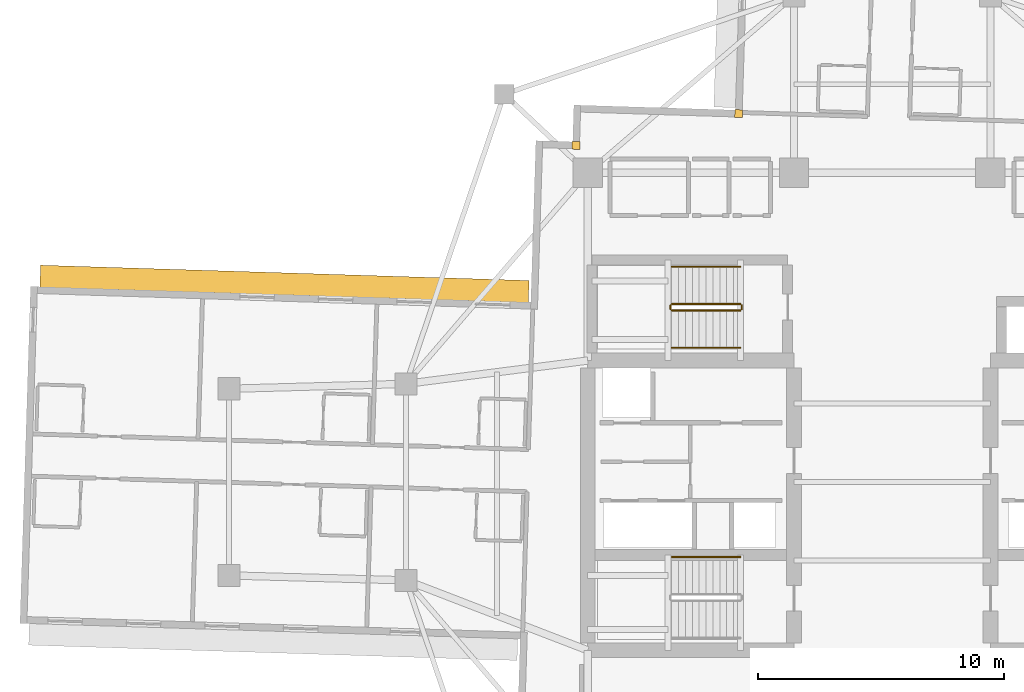
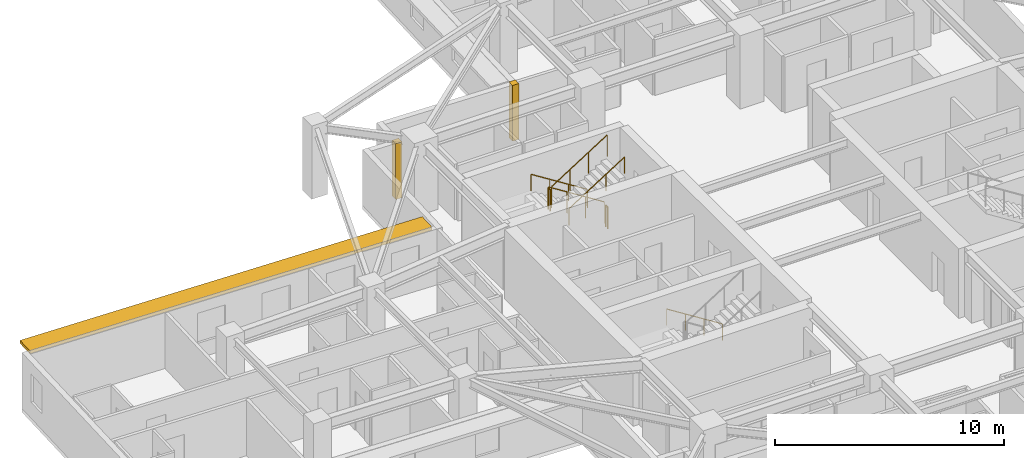
# One storey, part 13 of 14: 7 railings, 2 coverings, 1 shading device.
"""IFC4 building model written with IfcOpenShell, lengths in metres."""

from ifc_helpers import new_model, si_unit, direction, frame, origin, origin_2d, place, context, subcontext, project, spatial, rectangle, circle, extrude, material, layer, layer_set, type_object, element, save


model = new_model("IFC4")

# Units and contexts
model_context = context("Model", 3, precision=1e-05, world=origin(), true_north=direction((0.0, 1.0)))
body_context = subcontext(model_context, "Body", "Model", "MODEL_VIEW")
ifc_project = project(units=[si_unit("LENGTHUNIT", "METRE"), si_unit("AREAUNIT", "SQUARE_METRE"), si_unit("VOLUMEUNIT", "CUBIC_METRE"), si_unit("PLANEANGLEUNIT", "RADIAN"), si_unit("MASSUNIT", "GRAM", prefix="KILO")], contexts=[model_context])

# Site, building, storey
site_placement = place(None, origin())
site = spatial("IfcSite", under=ifc_project, at=site_placement, CompositionType="ELEMENT")
building_placement = place(site_placement, origin())
building = spatial("IfcBuilding", under=site, at=building_placement, Name="Qingluan Cross Belvedere", CompositionType="ELEMENT")
storey_placement = place(building_placement, frame((0.0, 0.0, 176.10009765625)))
storey = spatial("IfcBuildingStorey", under=building, at=storey_placement, Name="L44", CompositionType="ELEMENT", Elevation=176.10009765625)

# Coverings
ifc_material_1 = material(Name="Precast concrete C45", Category="concrete")
ifc_layer_1 = layer(ifc_material_1, 0.1201171875, Name="ConcreteSpandrelCladding_120")
ifc_layer_set_1 = layer_set([ifc_layer_1], Name="Precast concrete C45")
covering_type = type_object("IfcCoveringType", Name="ConcreteSpandrelCladding_120", PredefinedType="CLADDING", material=ifc_layer_set_1)
for number, where, z_axis, x_axis, name in (
    (1, (-12.875732421875, 13.711181640625, 0.0), (0.0, 0.0, 1.0), (0.999506560366, -0.031410759078, 0.0), "Corner closure L44-NW1"),
    (2, (-6.251708984375, 15.00390625, 0.0), (0.0, 0.0, 1.0), (0.999506560366, -0.031410759078, 0.0), "Corner closure L44-NW2"),
):
    element("IfcCovering", number, at=place(storey_placement, frame(where, z_axis=z_axis, x_axis=x_axis)), inside=storey, type_object=covering_type, Name=name, PredefinedType="CLADDING", context=body_context, shape_type="SweptSolid", body=[
        extrude(rectangle(XDim=0.320068359375, YDim=0.320068359375, at=origin_2d()), origin(), (0.0, 0.0, 1.0), 2.969970703125),
    ])

# Shading device
ifc_material_2 = material(Name="Precast concrete C45", Category="concrete")
ifc_layer_2 = layer(ifc_material_2, 0.159912109375, Name="ConcreteSunshadeBand_900")
ifc_layer_set_2 = layer_set([ifc_layer_2], Name="Precast concrete C45")
shading_device_type = type_object("IfcShadingDeviceType", Name="ConcreteSunshadeBand_900", PredefinedType="USERDEFINED", material=ifc_layer_set_2)
shading_device_placement = place(storey_placement, frame((-24.74853515625, 8.0712890625, 2.7900390625), z_axis=(0.0, 0.0, 1.0), x_axis=(-0.999506649124, 0.031407934627, 0.0)))
element("IfcShadingDevice", 3, at=shading_device_placement, inside=storey, type_object=shading_device_type, Name="Concrete SUNSHADE L44-WA", ObjectType="SUNSHADE", PredefinedType="USERDEFINED", context=body_context, shape_type="SweptSolid", body=[
    extrude(rectangle(XDim=19.89990234375, YDim=0.89990234375, at=origin_2d()), origin(), (0.0, 0.0, 1.0), 0.159912109375),
])

# Railings
ifc_material_3 = material(Name="Brushed stainless steel tubular handrail", Category="steel")
railing_type_1 = type_object("IfcRailingType", Name="StairPitchHandrail_900", PredefinedType="HANDRAIL", material=ifc_material_3)
for number, where, name in (
    (4, (-6.179931640625, -3.050048828125, 0.17724609375), "L44 ST1 stair handrail 1"),
    (5, (-6.179931640625, 8.77001953125, 0.17724609375), "L44 ST3 stair handrail 1"),
):
    element("IfcRailing", number, at=place(storey_placement, frame(where)), inside=storey, type_object=railing_type_1, Name=name, PredefinedType="HANDRAIL", context=body_context, shape_type="SweptSolid", body=[
        extrude(circle(Radius=0.02392578125, at=origin_2d()), frame((0.0, 0.0, 0.8759765625), z_axis=(-0.844908973607, 0.0, 0.534910110503), x_axis=(0.0, -1.0, 0.0)), (0.0, 0.0, 1.0), 3.31396484375),
        extrude(circle(Radius=0.02099609375, at=origin_2d()), origin(), (0.0, 0.0, 1.0), 0.851806640625),
        extrude(circle(Radius=0.02099609375, at=origin_2d()), frame((-0.933349609375, 0.0, 0.5908203125)), (0.0, 0.0, 1.0), 0.851806640625),
        extrude(circle(Radius=0.02099609375, at=origin_2d()), frame((-1.86669921875, 0.0, 1.181884765625)), (0.0, 0.0, 1.0), 0.851806640625),
        extrude(circle(Radius=0.02099609375, at=origin_2d()), frame((-2.800048828125, 0.0, 1.772705078125)), (0.0, 0.0, 1.0), 0.851806640625),
    ])
railing_1_placement = place(storey_placement, frame((-8.97998046875, 5.469970703125, 2.127197265625)))
element("IfcRailing", 6, at=railing_1_placement, inside=storey, type_object=railing_type_1, Name="L44 ST3 stair handrail 2", PredefinedType="HANDRAIL", context=body_context, shape_type="SweptSolid", body=[
    extrude(circle(Radius=0.02392578125, at=origin_2d()), frame((0.0, 0.0, 0.8759765625), z_axis=(0.844908973607, 0.0, 0.534910110503), x_axis=(0.0, 1.0, 0.0)), (0.0, 0.0, 1.0), 3.31396484375),
    extrude(circle(Radius=0.02099609375, at=origin_2d()), origin(), (0.0, 0.0, 1.0), 0.851806640625),
    extrude(circle(Radius=0.02099609375, at=origin_2d()), frame((0.933349609375, 0.0, 0.5908203125)), (0.0, 0.0, 1.0), 0.851806640625),
    extrude(circle(Radius=0.02099609375, at=origin_2d()), frame((1.86669921875, 0.0, 1.181884765625)), (0.0, 0.0, 1.0), 0.851806640625),
    extrude(circle(Radius=0.02099609375, at=origin_2d()), frame((2.800048828125, 0.0, 1.772705078125)), (0.0, 0.0, 1.0), 0.851806640625),
])
ifc_material_4 = material(Name="Painted steel stair well guard", Category="steel")
railing_type_2 = type_object("IfcRailingType", Name="StairWellGuard_1150", PredefinedType="BALUSTRADE", material=ifc_material_4)
railing_2_placement = place(storey_placement, frame((-6.179931640625, 7.25, 0.17724609375)))
element("IfcRailing", 7, at=railing_2_placement, inside=storey, type_object=railing_type_2, Name="L44 ST3 stair guard 1", PredefinedType="BALUSTRADE", context=body_context, shape_type="SweptSolid", body=[
    extrude(circle(Radius=0.02392578125, at=origin_2d()), frame((0.0, 0.0, 1.1259765625), z_axis=(-0.844908973607, 0.0, 0.534910110503), x_axis=(0.0, -1.0, 0.0)), (0.0, 0.0, 1.0), 3.31396484375),
    extrude(circle(Radius=0.02099609375, at=origin_2d()), origin(), (0.0, 0.0, 1.0), 1.101806640625),
    extrude(circle(Radius=0.02099609375, at=origin_2d()), frame((-0.933349609375, 0.0, 0.5908203125)), (0.0, 0.0, 1.0), 1.101806640625),
    extrude(circle(Radius=0.02099609375, at=origin_2d()), frame((-1.86669921875, 0.0, 1.181884765625)), (0.0, 0.0, 1.0), 1.101806640625),
    extrude(circle(Radius=0.02099609375, at=origin_2d()), frame((-2.800048828125, 0.0, 1.772705078125)), (0.0, 0.0, 1.0), 1.101806640625),
])
railing_3_placement = place(storey_placement, frame((-9.030029296875, 7.199951171875, 1.949951171875)))
element("IfcRailing", 8, at=railing_3_placement, inside=storey, type_object=railing_type_2, Name="L44 ST3 stair guard 2", PredefinedType="BALUSTRADE", context=body_context, shape_type="SweptSolid", body=[
    extrude(circle(Radius=0.02392578125, at=origin_2d()), frame((0.0, 0.0, 1.1259765625), z_axis=(0.0, -1.0, 0.0), x_axis=(1.0, 0.0, 0.0)), (0.0, 0.0, 1.0), 0.159912109375),
    extrude(circle(Radius=0.02099609375, at=origin_2d()), origin(), (0.0, 0.0, 1.0), 1.101806640625),
    extrude(circle(Radius=0.02099609375, at=origin_2d()), frame((0.0, -0.159912109375, 0.0)), (0.0, 0.0, 1.0), 1.101806640625),
])
railing_4_placement = place(storey_placement, frame((-8.97998046875, 6.989990234375, 2.127197265625)))
element("IfcRailing", 9, at=railing_4_placement, inside=storey, type_object=railing_type_2, Name="L44 ST3 stair guard 3", PredefinedType="BALUSTRADE", context=body_context, shape_type="SweptSolid", body=[
    extrude(circle(Radius=0.02392578125, at=origin_2d()), frame((0.0, 0.0, 1.1259765625), z_axis=(0.844908973607, 0.0, 0.534910110503), x_axis=(0.0, 1.0, 0.0)), (0.0, 0.0, 1.0), 3.31396484375),
    extrude(circle(Radius=0.02099609375, at=origin_2d()), origin(), (0.0, 0.0, 1.0), 1.101806640625),
    extrude(circle(Radius=0.02099609375, at=origin_2d()), frame((0.933349609375, 0.0, 0.5908203125)), (0.0, 0.0, 1.0), 1.101806640625),
    extrude(circle(Radius=0.02099609375, at=origin_2d()), frame((1.86669921875, 0.0, 1.181884765625)), (0.0, 0.0, 1.0), 1.101806640625),
    extrude(circle(Radius=0.02099609375, at=origin_2d()), frame((2.800048828125, 0.0, 1.772705078125)), (0.0, 0.0, 1.0), 1.101806640625),
])
railing_5_placement = place(storey_placement, frame((-6.1298828125, 7.199951171875, 0.0)))
element("IfcRailing", 10, at=railing_5_placement, inside=storey, type_object=railing_type_2, Name="L44 ST3 stair guard 4", PredefinedType="BALUSTRADE", context=body_context, shape_type="SweptSolid", body=[
    extrude(circle(Radius=0.02392578125, at=origin_2d()), frame((0.0, 0.0, 1.1259765625), z_axis=(0.0, -1.0, 0.0), x_axis=(1.0, 0.0, 0.0)), (0.0, 0.0, 1.0), 0.159912109375),
    extrude(circle(Radius=0.02099609375, at=origin_2d()), origin(), (0.0, 0.0, 1.0), 1.101806640625),
    extrude(circle(Radius=0.02099609375, at=origin_2d()), frame((0.0, -0.159912109375, 0.0)), (0.0, 0.0, 1.0), 1.101806640625),
])

save(model, "model.ifc")
